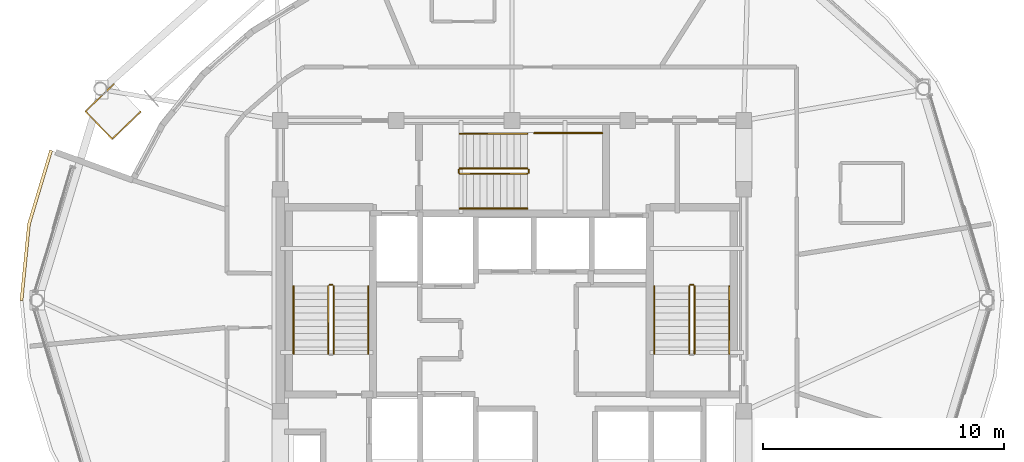
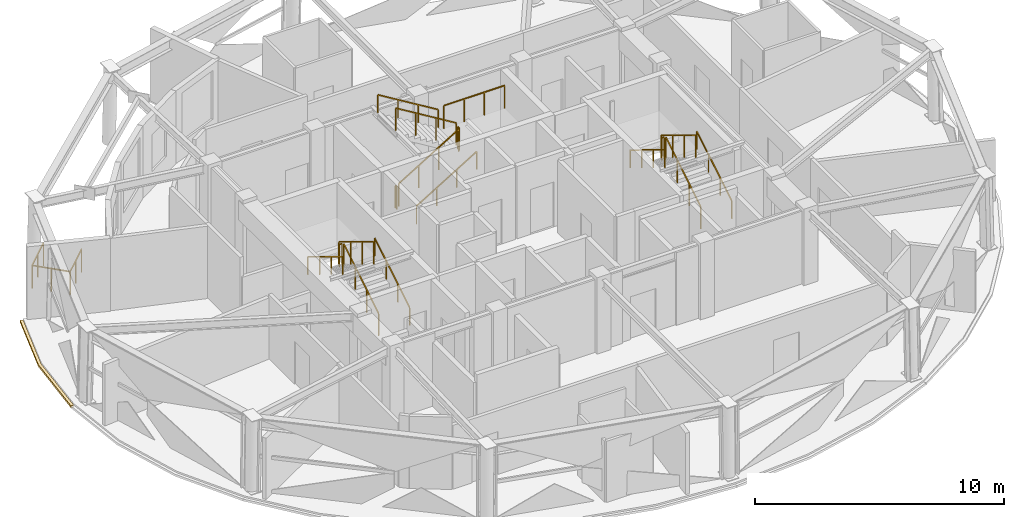
# One storey, part 13 of 14: 18 railings, 1 covering.
"""IFC4 building model written with IfcOpenShell, lengths in metres."""

import ifcopenshell
import ifcopenshell.guid

model = None  # the IFC model being written
_history = None  # IfcOwnerHistory: only IFC2X3 demands one
_inside = {}  # id of a spatial element -> (the spatial element, [elements in it])
_under = {}  # id of a project, library or spatial element -> (it, [spatial elements below it])
_declared = {}  # id of a project -> (the project, [libraries it declares])
_typed = {}  # id of a type object -> (the type object, [elements of that type])
_made_of = {}  # id of a material, layer set ... -> (it, [elements and type objects made of it])


def new_model(schema):
    """Start an empty IFC model of exactly this schema.

    Asked for "IFC4X3", IfcOpenShell would pick the latest addendum, in which some entities
    have other attributes; the version numbers below select the first issue.
    IFC2X3 requires an IfcOwnerHistory on every rooted entity: one is made here for all.
    """
    global model, _history
    if schema == "IFC4X3":
        model = ifcopenshell.file(schema_version=(4, 3, 0, 0))
    else:
        model = ifcopenshell.file(schema=schema)
    _inside.clear()
    _under.clear()
    _declared.clear()
    _typed.clear()
    _made_of.clear()
    _history = None
    if model.schema == "IFC2X3":
        org = make("IfcOrganization", Name="unknown")
        user = make(
            "IfcPersonAndOrganization",
            ThePerson=make("IfcPerson", FamilyName="unknown"),
            TheOrganization=org,
        )
        app = make(
            "IfcApplication",
            ApplicationDeveloper=org,
            Version="unknown",
            ApplicationFullName="unknown",
            ApplicationIdentifier="unknown",
        )
        _history = make(
            "IfcOwnerHistory",
            OwningUser=user,
            OwningApplication=app,
            ChangeAction="ADDED",
            CreationDate=0,
        )
    return model


def make(cls, **values):
    """One entity of the class cls with the attributes given. An attribute that is None is left unset."""
    return model.create_entity(
        cls, **{name: value for name, value in values.items() if value is not None}
    )


def rooted(cls, **values):
    """An entity with a GlobalId (a new one), such as an element, a storey or a relation."""
    return make(cls, GlobalId=ifcopenshell.guid.new(), OwnerHistory=_history, **values)


def si_unit(unit_type, name, prefix=None):
    """IfcSIUnit, for example si_unit("LENGTHUNIT", "METRE", prefix="MILLI")."""
    return make("IfcSIUnit", UnitType=unit_type, Prefix=prefix, Name=name)


def assignment(units):
    """IfcUnitAssignment: the units of a project."""
    return None if units is None else make("IfcUnitAssignment", Units=units)


def point(xyz):
    """IfcCartesianPoint."""
    return None if xyz is None else make("IfcCartesianPoint", Coordinates=xyz)


def direction(xyz):
    """IfcDirection."""
    return None if xyz is None else make("IfcDirection", DirectionRatios=xyz)


def frame(location, z_axis=None, x_axis=None):
    """IfcAxis2Placement3D, a coordinate frame: its origin and axes. An axis left out is left unset."""
    return make(
        "IfcAxis2Placement3D",
        Location=point(location),
        Axis=direction(z_axis),
        RefDirection=direction(x_axis),
    )


def frame_2d(location, x_axis=None):
    """IfcAxis2Placement2D, a coordinate frame in the plane: its origin and x axis."""
    return make(
        "IfcAxis2Placement2D", Location=point(location), RefDirection=direction(x_axis)
    )


def origin():
    """The frame at (0, 0, 0) with its axes left unset."""
    return frame((0.0, 0.0, 0.0))


def origin_2d():
    """The frame at (0, 0) in the plane with its x axis left unset."""
    return frame_2d((0.0, 0.0))


def place(relative_to, where):
    """IfcLocalPlacement: puts the frame where relative to a parent placement (None: the world)."""
    return make(
        "IfcLocalPlacement", PlacementRelTo=relative_to, RelativePlacement=where
    )


def context(
    kind, dimensions, precision=None, world=None, true_north=None, identifier=None
):
    """IfcGeometricRepresentationContext, for example the 3D "Model" context."""
    return make(
        "IfcGeometricRepresentationContext",
        ContextIdentifier=identifier,
        ContextType=kind,
        CoordinateSpaceDimension=dimensions,
        Precision=precision,
        WorldCoordinateSystem=world,
        TrueNorth=true_north,
    )


def subcontext(parent, identifier, kind, view, scale=None):
    """IfcGeometricRepresentationSubContext, for example "Body" below "Model"."""
    return make(
        "IfcGeometricRepresentationSubContext",
        ContextIdentifier=identifier,
        ContextType=kind,
        ParentContext=parent,
        TargetScale=scale,
        TargetView=view,
    )


def project(units=None, contexts=None):
    """IfcProject with its units and contexts."""
    return rooted(
        "IfcProject",
        Name="project",
        RepresentationContexts=contexts,
        UnitsInContext=assignment(units),
    )


def spatial(cls, under=None, at=None, **own):
    """A site, building, storey or space (cls), placed at a placement, below another one or the project."""
    s = rooted(cls, ObjectPlacement=at, **own)
    if under is not None:
        _under.setdefault(under.id(), (under, []))[1].append(s)
    return s


def polyline(points):
    """IfcPolyline through the points."""
    return make("IfcPolyline", Points=[point(p) for p in points])


def profile(cls, at=None, kind="AREA", **sizes):
    """A parametric profile (cls). Its sizes go by their IFC names, for example OverallWidth=200.0."""
    return make(cls, ProfileType=kind, Position=at, **sizes)


def rectangle(**sizes):
    """IfcRectangleProfileDef."""
    return profile("IfcRectangleProfileDef", **sizes)


def outline(outer, holes=None, kind="AREA"):
    """IfcArbitraryClosedProfileDef: a profile drawn as a closed curve; with holes, ...WithVoids."""
    if holes is None:
        return make("IfcArbitraryClosedProfileDef", ProfileType=kind, OuterCurve=outer)
    return make(
        "IfcArbitraryProfileDefWithVoids",
        ProfileType=kind,
        OuterCurve=outer,
        InnerCurves=holes,
    )


def extrude(swept, where, along, depth):
    """IfcExtrudedAreaSolid: the profile swept, set in the frame where, extruded along a direction by depth."""
    return make(
        "IfcExtrudedAreaSolid",
        SweptArea=swept,
        Position=where,
        ExtrudedDirection=direction(along),
        Depth=depth,
    )


def shape(context_of_items, identifier, shape_type, items):
    """IfcShapeRepresentation: the items that make up one representation, for example the "Body"."""
    return make(
        "IfcShapeRepresentation",
        ContextOfItems=context_of_items,
        RepresentationIdentifier=identifier,
        RepresentationType=shape_type,
        Items=items,
    )


def material(Name=None, Category=None):
    """IfcMaterial."""
    return make("IfcMaterial", Name=Name, Category=Category)


def layer(
    of_material, thickness, ventilated=None, Name=None, Category=None, Priority=None
):
    """IfcMaterialLayer: one layer of a wall or slab, of a material (None: an air gap)."""
    return make(
        "IfcMaterialLayer",
        Material=of_material,
        LayerThickness=thickness,
        IsVentilated=ventilated,
        Name=Name,
        Category=Category,
        Priority=Priority,
    )


def layer_set(layers, Name=None):
    """IfcMaterialLayerSet."""
    return make("IfcMaterialLayerSet", MaterialLayers=layers, LayerSetName=Name)


def made_of(thing, what):
    """Note that an element or type object is made of a material, layer set ...; save() writes the relation."""
    if what is not None:
        _made_of.setdefault(what.id(), (what, []))[1].append(thing)
    return thing


def type_object(cls, material=None, **own):
    """A type object (cls), such as IfcWallType, which elements share."""
    return made_of(rooted(cls, **own), material)


def element(
    cls,
    number,
    at=None,
    inside=None,
    cuts=None,
    type_object=None,
    material=None,
    context=None,
    identifier="Body",
    shape_type=None,
    held_by="IfcProductDefinitionShape",
    body=None,
    shapes=None,
    **own,
):
    """One element of the class cls, such as IfcWall. Its Tag is "e" and its number.

    at: its placement. inside: the storey or other place that contains it. cuts: it is an
    opening in that element (IfcRelVoidsElement). A single representation is given by context,
    identifier, shape_type and body (its items); several are given by shapes. held_by: the class
    of the entity that holds the representations. save() writes the other relations.
    """
    e = rooted(cls, Tag="e%d" % number, ObjectPlacement=at, **own)
    if body is not None:
        shapes = [shape(context, identifier, shape_type, body)]
    if shapes is not None:
        e.Representation = make(held_by, Representations=shapes)
    if inside is not None:
        _inside.setdefault(inside.id(), (inside, []))[1].append(e)
    if cuts is not None:
        rooted(
            "IfcRelVoidsElement", RelatingBuildingElement=cuts, RelatedOpeningElement=e
        )
    if type_object is not None:
        _typed.setdefault(type_object.id(), (type_object, []))[1].append(e)
    return made_of(e, material)


def aggregate(whole, parts):
    """IfcRelAggregates: a whole, such as a stair, and the parts it consists of."""
    return rooted("IfcRelAggregates", RelatingObject=whole, RelatedObjects=parts)


def save(model, path):
    """Write the relations noted so far, then the file.

    IfcRelAggregates (storeys below a building ...), IfcRelContainedInSpatialStructure (elements
    in a storey), IfcRelDefinesByType, IfcRelAssociatesMaterial and IfcRelDeclares: one each for
    every whole, place, type object, material and project.
    """
    for whole, parts in _under.values():
        aggregate(whole, parts)
    for where, things in _inside.values():
        rooted(
            "IfcRelContainedInSpatialStructure",
            RelatedElements=things,
            RelatingStructure=where,
        )
    for kind, things in _typed.values():
        rooted("IfcRelDefinesByType", RelatedObjects=things, RelatingType=kind)
    for what, things in _made_of.values():
        rooted("IfcRelAssociatesMaterial", RelatedObjects=things, RelatingMaterial=what)
    for by, libraries in _declared.values():
        rooted("IfcRelDeclares", RelatingContext=by, RelatedDefinitions=libraries)
    model.write(path)


model = new_model("IFC4")

# Units and contexts
model_context = context("Model", 3, precision=1e-05, world=origin(), true_north=direction((0.0, 1.0)))
body_context = subcontext(model_context, "Body", "Model", "MODEL_VIEW")
ifc_project = project(units=[si_unit("LENGTHUNIT", "METRE"), si_unit("AREAUNIT", "SQUARE_METRE"), si_unit("VOLUMEUNIT", "CUBIC_METRE"), si_unit("PLANEANGLEUNIT", "RADIAN"), si_unit("MASSUNIT", "GRAM", prefix="KILO")], contexts=[model_context])

# Site, building, storey
site_placement = place(None, origin())
site = spatial("IfcSite", under=ifc_project, at=site_placement, CompositionType="ELEMENT")
building_placement = place(site_placement, origin())
building = spatial("IfcBuilding", under=site, at=building_placement, Name="Vantalir Tower", CompositionType="ELEMENT")
storey_placement = place(building_placement, frame((0.0, 0.0, 271.35009765625)))
storey = spatial("IfcBuildingStorey", under=building, at=storey_placement, Name="L68", CompositionType="ELEMENT", Elevation=271.35009765625)

# Covering
ifc_material_1 = material(Name="Anodised champagne aluminium sill fascia", Category="aluminium")
ifc_layer = layer(ifc_material_1, 0.125)
ifc_layer_set = layer_set([ifc_layer], Name="Anodised champagne aluminium sill fascia")
covering_type = type_object("IfcCoveringType", Name="COV-SLAB-FASCIA-125", PredefinedType="CLADDING", material=ifc_layer_set)
covering_placement = place(storey_placement, frame((0.0, 0.0, -0.18017578125)))
element("IfcCovering", 1, at=covering_placement, inside=storey, type_object=covering_type, Name="L68 Perimeter Slab-Edge Sill Fascia 06", PredefinedType="CLADDING", context=body_context, shape_type="SweptSolid", body=[
    extrude(outline(polyline([(12.343994140625, 31.22998046875), (11.425048828125, 28.1630859375), (11.114990234375, 25.0), (11.239990234375, 25.0), (11.548095703125, 28.14111328125), (12.4619140625, 31.18701171875), (12.343994140625, 31.22998046875)])), origin(), (0.0, 0.0, 1.0), 0.10498046875),
])

# Railings
ifc_material_2 = material(Name="Laminated safety glass and champagne-silver balustrade", Category="glass")
railing_type_1 = type_object("IfcRailingType", Name="RAL-BALUSTRADE-1200", PredefinedType="BALUSTRADE", material=ifc_material_2)
railing_1_placement = place(storey_placement, frame((15.013916015625, 33.966064453125, 0.0)))
element("IfcRailing", 2, at=railing_1_placement, inside=storey, type_object=railing_type_1, Name="Sky Garden Stair SG4 Upper Gallery Guard", PredefinedType="BALUSTRADE", context=body_context, shape_type="SweptSolid", body=[
    extrude(rectangle(XDim=0.048095703125, YDim=0.048095703125, at=origin_2d()), frame((0.0, 0.0, 1.1259765625), z_axis=(-0.720956008548, -0.692980832158, 0.0), x_axis=(0.692980832158, -0.720956008548, 0.0)), (0.0, 0.0, 1.0), 1.640625),
    extrude(rectangle(XDim=0.048095703125, YDim=0.048095703125, at=origin_2d()), frame((-1.182861328125, -1.136962890625, 1.1259765625), z_axis=(0.693151677646, -0.720791753405, 0.0), x_axis=(0.720791753405, 0.693151677646, 0.0)), (0.0, 0.0, 1.0), 1.58984375),
    extrude(rectangle(XDim=0.048095703125, YDim=0.048095703125, at=origin_2d()), frame((-0.080810546875, -2.282958984375, 1.1259765625), z_axis=(0.721253440142, 0.692671260471, 0.0), x_axis=(-0.692671260471, 0.721253440142, 0.0)), (0.0, 0.0, 1.0), 1.639892578125),
    extrude(rectangle(XDim=0.0419921875, YDim=0.0419921875, at=origin_2d()), origin(), (0.0, 0.0, 1.0), 1.101806640625),
    extrude(rectangle(XDim=0.0419921875, YDim=0.0419921875, at=origin_2d()), frame((-0.59130859375, -0.568359375, 0.0)), (0.0, 0.0, 1.0), 1.101806640625),
    extrude(rectangle(XDim=0.0419921875, YDim=0.0419921875, at=origin_2d()), frame((-1.182861328125, -1.136962890625, 0.0)), (0.0, 0.0, 1.0), 1.101806640625),
    extrude(rectangle(XDim=0.0419921875, YDim=0.0419921875, at=origin_2d()), frame((-0.6318359375, -1.7099609375, 0.0)), (0.0, 0.0, 1.0), 1.101806640625),
    extrude(rectangle(XDim=0.0419921875, YDim=0.0419921875, at=origin_2d()), frame((-0.080810546875, -2.282958984375, 0.0)), (0.0, 0.0, 1.0), 1.101806640625),
    extrude(rectangle(XDim=0.0419921875, YDim=0.0419921875, at=origin_2d()), frame((0.5107421875, -1.71484375, 0.0)), (0.0, 0.0, 1.0), 1.101806640625),
    extrude(rectangle(XDim=0.0419921875, YDim=0.0419921875, at=origin_2d()), frame((1.10205078125, -1.14697265625, 0.0)), (0.0, 0.0, 1.0), 1.101806640625),
])
ifc_material_3 = material(Name="Anodised aluminium and stainless steel guard", Category="steel")
railing_type_2 = type_object("IfcRailingType", Name="RAL-GUARD-1120", PredefinedType="GUARDRAIL", material=ifc_material_3)
railing_2_placement = place(storey_placement, frame((24.110107421875, 22.7900390625, 0.17041015625)))
element("IfcRailing", 3, at=railing_2_placement, inside=storey, type_object=railing_type_2, Name="L68 ST1 stair guard 1", PredefinedType="GUARDRAIL", context=body_context, shape_type="SweptSolid", body=[
    extrude(rectangle(XDim=0.048095703125, YDim=0.048095703125, at=origin_2d()), frame((0.0, 0.0, 1.09619140625), z_axis=(0.0, 0.854169791009, 0.51999420009), x_axis=(-1.0, 0.0, 0.0)), (0.0, 0.0, 1.0), 3.278076171875),
    extrude(rectangle(XDim=0.0419921875, YDim=0.0419921875, at=origin_2d()), origin(), (0.0, 0.0, 1.0), 1.072021484375),
    extrude(rectangle(XDim=0.0419921875, YDim=0.0419921875, at=origin_2d()), frame((0.0, 0.933349609375, 0.568115234375)), (0.0, 0.0, 1.0), 1.072021484375),
    extrude(rectangle(XDim=0.0419921875, YDim=0.0419921875, at=origin_2d()), frame((0.0, 1.86669921875, 1.136474609375)), (0.0, 0.0, 1.0), 1.072021484375),
    extrude(rectangle(XDim=0.0419921875, YDim=0.0419921875, at=origin_2d()), frame((0.0, 2.800048828125, 1.70458984375)), (0.0, 0.0, 1.0), 1.072021484375),
])
railing_3_placement = place(storey_placement, frame((24.06005859375, 25.639892578125, 1.875)))
element("IfcRailing", 4, at=railing_3_placement, inside=storey, type_object=railing_type_2, Name="L68 ST1 stair guard 2", PredefinedType="GUARDRAIL", context=body_context, shape_type="SweptSolid", body=[
    extrude(rectangle(XDim=0.048095703125, YDim=0.048095703125, at=origin_2d()), frame((0.0, 0.0, 1.09619140625), z_axis=(-1.0, 0.0, 0.0), x_axis=(0.0, -1.0, 0.0)), (0.0, 0.0, 1.0), 0.1201171875),
    extrude(rectangle(XDim=0.0419921875, YDim=0.0419921875, at=origin_2d()), origin(), (0.0, 0.0, 1.0), 1.072021484375),
    extrude(rectangle(XDim=0.0419921875, YDim=0.0419921875, at=origin_2d()), frame((-0.1201171875, 0.0, 0.0)), (0.0, 0.0, 1.0), 1.072021484375),
])
railing_4_placement = place(storey_placement, frame((23.889892578125, 25.590087890625, 2.04541015625)))
element("IfcRailing", 5, at=railing_4_placement, inside=storey, type_object=railing_type_2, Name="L68 ST1 stair guard 3", PredefinedType="GUARDRAIL", context=body_context, shape_type="SweptSolid", body=[
    extrude(rectangle(XDim=0.048095703125, YDim=0.048095703125, at=origin_2d()), frame((0.0, 0.0, 1.09619140625), z_axis=(0.0, -0.854169791009, 0.51999420009), x_axis=(1.0, 0.0, 0.0)), (0.0, 0.0, 1.0), 3.278076171875),
    extrude(rectangle(XDim=0.0419921875, YDim=0.0419921875, at=origin_2d()), origin(), (0.0, 0.0, 1.0), 1.072021484375),
    extrude(rectangle(XDim=0.0419921875, YDim=0.0419921875, at=origin_2d()), frame((0.0, -0.933349609375, 0.568115234375)), (0.0, 0.0, 1.0), 1.072021484375),
    extrude(rectangle(XDim=0.0419921875, YDim=0.0419921875, at=origin_2d()), frame((0.0, -1.86669921875, 1.136474609375)), (0.0, 0.0, 1.0), 1.072021484375),
    extrude(rectangle(XDim=0.0419921875, YDim=0.0419921875, at=origin_2d()), frame((0.0, -2.800048828125, 1.70458984375)), (0.0, 0.0, 1.0), 1.072021484375),
])
railing_5_placement = place(storey_placement, frame((39.06005859375, 22.7900390625, 0.17041015625)))
element("IfcRailing", 6, at=railing_5_placement, inside=storey, type_object=railing_type_2, Name="L68 ST2 stair guard 1", PredefinedType="GUARDRAIL", context=body_context, shape_type="SweptSolid", body=[
    extrude(rectangle(XDim=0.048095703125, YDim=0.048095703125, at=origin_2d()), frame((0.0, 0.0, 1.09619140625), z_axis=(0.0, 0.854169791009, 0.51999420009), x_axis=(-1.0, 0.0, 0.0)), (0.0, 0.0, 1.0), 3.278076171875),
    extrude(rectangle(XDim=0.0419921875, YDim=0.0419921875, at=origin_2d()), origin(), (0.0, 0.0, 1.0), 1.072021484375),
    extrude(rectangle(XDim=0.0419921875, YDim=0.0419921875, at=origin_2d()), frame((0.0, 0.933349609375, 0.568115234375)), (0.0, 0.0, 1.0), 1.072021484375),
    extrude(rectangle(XDim=0.0419921875, YDim=0.0419921875, at=origin_2d()), frame((0.0, 1.86669921875, 1.136474609375)), (0.0, 0.0, 1.0), 1.072021484375),
    extrude(rectangle(XDim=0.0419921875, YDim=0.0419921875, at=origin_2d()), frame((0.0, 2.800048828125, 1.70458984375)), (0.0, 0.0, 1.0), 1.072021484375),
])
railing_6_placement = place(storey_placement, frame((39.010009765625, 25.639892578125, 1.875)))
element("IfcRailing", 7, at=railing_6_placement, inside=storey, type_object=railing_type_2, Name="L68 ST2 stair guard 2", PredefinedType="GUARDRAIL", context=body_context, shape_type="SweptSolid", body=[
    extrude(rectangle(XDim=0.048095703125, YDim=0.048095703125, at=origin_2d()), frame((0.0, 0.0, 1.09619140625), z_axis=(-1.0, 0.0, 0.0), x_axis=(0.0, -1.0, 0.0)), (0.0, 0.0, 1.0), 0.1201171875),
    extrude(rectangle(XDim=0.0419921875, YDim=0.0419921875, at=origin_2d()), origin(), (0.0, 0.0, 1.0), 1.072021484375),
    extrude(rectangle(XDim=0.0419921875, YDim=0.0419921875, at=origin_2d()), frame((-0.1201171875, 0.0, 0.0)), (0.0, 0.0, 1.0), 1.072021484375),
])
railing_7_placement = place(storey_placement, frame((38.840087890625, 25.590087890625, 2.04541015625)))
element("IfcRailing", 8, at=railing_7_placement, inside=storey, type_object=railing_type_2, Name="L68 ST2 stair guard 3", PredefinedType="GUARDRAIL", context=body_context, shape_type="SweptSolid", body=[
    extrude(rectangle(XDim=0.048095703125, YDim=0.048095703125, at=origin_2d()), frame((0.0, 0.0, 1.09619140625), z_axis=(0.0, -0.854169791009, 0.51999420009), x_axis=(1.0, 0.0, 0.0)), (0.0, 0.0, 1.0), 3.278076171875),
    extrude(rectangle(XDim=0.0419921875, YDim=0.0419921875, at=origin_2d()), origin(), (0.0, 0.0, 1.0), 1.072021484375),
    extrude(rectangle(XDim=0.0419921875, YDim=0.0419921875, at=origin_2d()), frame((0.0, -0.933349609375, 0.568115234375)), (0.0, 0.0, 1.0), 1.072021484375),
    extrude(rectangle(XDim=0.0419921875, YDim=0.0419921875, at=origin_2d()), frame((0.0, -1.86669921875, 1.136474609375)), (0.0, 0.0, 1.0), 1.072021484375),
    extrude(rectangle(XDim=0.0419921875, YDim=0.0419921875, at=origin_2d()), frame((0.0, -2.800048828125, 1.70458984375)), (0.0, 0.0, 1.0), 1.072021484375),
])
railing_8_placement = place(storey_placement, frame((29.340087890625, 30.239990234375, 0.17041015625)))
element("IfcRailing", 9, at=railing_8_placement, inside=storey, type_object=railing_type_2, Name="L68 ST3 stair guard 1", PredefinedType="GUARDRAIL", context=body_context, shape_type="SweptSolid", body=[
    extrude(rectangle(XDim=0.048095703125, YDim=0.048095703125, at=origin_2d()), frame((0.0, 0.0, 1.09619140625), z_axis=(0.854149651119, 0.0, 0.520027281489), x_axis=(0.0, 1.0, 0.0)), (0.0, 0.0, 1.0), 3.27783203125),
    extrude(rectangle(XDim=0.0419921875, YDim=0.0419921875, at=origin_2d()), origin(), (0.0, 0.0, 1.0), 1.072021484375),
    extrude(rectangle(XDim=0.0419921875, YDim=0.0419921875, at=origin_2d()), frame((0.933349609375, 0.0, 0.568115234375)), (0.0, 0.0, 1.0), 1.072021484375),
    extrude(rectangle(XDim=0.0419921875, YDim=0.0419921875, at=origin_2d()), frame((1.866455078125, 0.0, 1.136474609375)), (0.0, 0.0, 1.0), 1.072021484375),
    extrude(rectangle(XDim=0.0419921875, YDim=0.0419921875, at=origin_2d()), frame((2.7998046875, 0.0, 1.70458984375)), (0.0, 0.0, 1.0), 1.072021484375),
])
railing_9_placement = place(storey_placement, frame((32.18994140625, 30.2900390625, 1.875)))
element("IfcRailing", 10, at=railing_9_placement, inside=storey, type_object=railing_type_2, Name="L68 ST3 stair guard 2", PredefinedType="GUARDRAIL", context=body_context, shape_type="SweptSolid", body=[
    extrude(rectangle(XDim=0.048095703125, YDim=0.048095703125, at=origin_2d()), frame((0.0, 0.0, 1.09619140625), z_axis=(0.0, 1.0, 0.0), x_axis=(-1.0, 0.0, 0.0)), (0.0, 0.0, 1.0), 0.119873046875),
    extrude(rectangle(XDim=0.0419921875, YDim=0.0419921875, at=origin_2d()), origin(), (0.0, 0.0, 1.0), 1.072021484375),
    extrude(rectangle(XDim=0.0419921875, YDim=0.0419921875, at=origin_2d()), frame((0.0, 0.119873046875, 0.0)), (0.0, 0.0, 1.0), 1.072021484375),
])
railing_10_placement = place(storey_placement, frame((32.139892578125, 30.4599609375, 2.04541015625)))
element("IfcRailing", 11, at=railing_10_placement, inside=storey, type_object=railing_type_2, Name="L68 ST3 stair guard 3", PredefinedType="GUARDRAIL", context=body_context, shape_type="SweptSolid", body=[
    extrude(rectangle(XDim=0.048095703125, YDim=0.048095703125, at=origin_2d()), frame((0.0, 0.0, 1.09619140625), z_axis=(-0.854149651119, 0.0, 0.520027281489), x_axis=(0.0, -1.0, 0.0)), (0.0, 0.0, 1.0), 3.27783203125),
    extrude(rectangle(XDim=0.0419921875, YDim=0.0419921875, at=origin_2d()), origin(), (0.0, 0.0, 1.0), 1.072021484375),
    extrude(rectangle(XDim=0.0419921875, YDim=0.0419921875, at=origin_2d()), frame((-0.933349609375, 0.0, 0.568115234375)), (0.0, 0.0, 1.0), 1.072021484375),
    extrude(rectangle(XDim=0.0419921875, YDim=0.0419921875, at=origin_2d()), frame((-1.866455078125, 0.0, 1.136474609375)), (0.0, 0.0, 1.0), 1.072021484375),
    extrude(rectangle(XDim=0.0419921875, YDim=0.0419921875, at=origin_2d()), frame((-2.7998046875, 0.0, 1.70458984375)), (0.0, 0.0, 1.0), 1.072021484375),
])
railing_11_placement = place(storey_placement, frame((29.2900390625, 30.2900390625, 0.0)))
element("IfcRailing", 12, at=railing_11_placement, inside=storey, type_object=railing_type_2, Name="L68 ST3 stair guard 4", PredefinedType="GUARDRAIL", context=body_context, shape_type="SweptSolid", body=[
    extrude(rectangle(XDim=0.048095703125, YDim=0.048095703125, at=origin_2d()), frame((0.0, 0.0, 1.09619140625), z_axis=(0.0, 1.0, 0.0), x_axis=(-1.0, 0.0, 0.0)), (0.0, 0.0, 1.0), 0.119873046875),
    extrude(rectangle(XDim=0.0419921875, YDim=0.0419921875, at=origin_2d()), origin(), (0.0, 0.0, 1.0), 1.072021484375),
    extrude(rectangle(XDim=0.0419921875, YDim=0.0419921875, at=origin_2d()), frame((0.0, 0.119873046875, 0.0)), (0.0, 0.0, 1.0), 1.072021484375),
])
railing_12_placement = place(storey_placement, frame((32.419921875, 31.929931640625, 1.875)))
element("IfcRailing", 13, at=railing_12_placement, inside=storey, type_object=railing_type_2, Name="L68 Stair ST3 Half-Landing Slot Guard", PredefinedType="GUARDRAIL", context=body_context, shape_type="SweptSolid", body=[
    extrude(rectangle(XDim=0.048095703125, YDim=0.048095703125, at=origin_2d()), frame((0.0, 0.0, 1.1259765625), z_axis=(1.0, 0.0, 0.0), x_axis=(0.0, 1.0, 0.0)), (0.0, 0.0, 1.0), 2.820068359375),
    extrude(rectangle(XDim=0.0419921875, YDim=0.0419921875, at=origin_2d()), origin(), (0.0, 0.0, 1.0), 1.101806640625),
    extrude(rectangle(XDim=0.0419921875, YDim=0.0419921875, at=origin_2d()), frame((0.93994140625, 0.0, 0.0)), (0.0, 0.0, 1.0), 1.101806640625),
    extrude(rectangle(XDim=0.0419921875, YDim=0.0419921875, at=origin_2d()), frame((1.880126953125, 0.0, 0.0)), (0.0, 0.0, 1.0), 1.101806640625),
    extrude(rectangle(XDim=0.0419921875, YDim=0.0419921875, at=origin_2d()), frame((2.820068359375, 0.0, 0.0)), (0.0, 0.0, 1.0), 1.101806640625),
])
ifc_material_4 = material(Name="Brushed stainless steel tubular handrail", Category="steel")
railing_type_3 = type_object("IfcRailingType", Name="RAL-HANDRAIL-900", PredefinedType="HANDRAIL", material=ifc_material_4)
railing_13_placement = place(storey_placement, frame((25.550048828125, 22.7900390625, 0.17041015625)))
element("IfcRailing", 14, at=railing_13_placement, inside=storey, type_object=railing_type_3, Name="L68 ST1 stair handrail 1", PredefinedType="HANDRAIL", context=body_context, shape_type="SweptSolid", body=[
    extrude(rectangle(XDim=0.048095703125, YDim=0.048095703125, at=origin_2d()), frame((0.0, 0.0, 0.8759765625), z_axis=(0.0, 0.854169791009, 0.51999420009), x_axis=(-1.0, 0.0, 0.0)), (0.0, 0.0, 1.0), 3.278076171875),
    extrude(rectangle(XDim=0.0419921875, YDim=0.0419921875, at=origin_2d()), origin(), (0.0, 0.0, 1.0), 0.851806640625),
    extrude(rectangle(XDim=0.0419921875, YDim=0.0419921875, at=origin_2d()), frame((0.0, 0.933349609375, 0.568115234375)), (0.0, 0.0, 1.0), 0.851806640625),
    extrude(rectangle(XDim=0.0419921875, YDim=0.0419921875, at=origin_2d()), frame((0.0, 1.86669921875, 1.136474609375)), (0.0, 0.0, 1.0), 0.851806640625),
    extrude(rectangle(XDim=0.0419921875, YDim=0.0419921875, at=origin_2d()), frame((0.0, 2.800048828125, 1.70458984375)), (0.0, 0.0, 1.0), 0.851806640625),
])
railing_14_placement = place(storey_placement, frame((22.449951171875, 25.590087890625, 2.04541015625)))
element("IfcRailing", 15, at=railing_14_placement, inside=storey, type_object=railing_type_3, Name="L68 ST1 stair handrail 2", PredefinedType="HANDRAIL", context=body_context, shape_type="SweptSolid", body=[
    extrude(rectangle(XDim=0.048095703125, YDim=0.048095703125, at=origin_2d()), frame((0.0, 0.0, 0.8759765625), z_axis=(0.0, -0.854169791009, 0.51999420009), x_axis=(1.0, 0.0, 0.0)), (0.0, 0.0, 1.0), 3.278076171875),
    extrude(rectangle(XDim=0.0419921875, YDim=0.0419921875, at=origin_2d()), origin(), (0.0, 0.0, 1.0), 0.851806640625),
    extrude(rectangle(XDim=0.0419921875, YDim=0.0419921875, at=origin_2d()), frame((0.0, -0.933349609375, 0.568115234375)), (0.0, 0.0, 1.0), 0.851806640625),
    extrude(rectangle(XDim=0.0419921875, YDim=0.0419921875, at=origin_2d()), frame((0.0, -1.86669921875, 1.136474609375)), (0.0, 0.0, 1.0), 0.851806640625),
    extrude(rectangle(XDim=0.0419921875, YDim=0.0419921875, at=origin_2d()), frame((0.0, -2.800048828125, 1.70458984375)), (0.0, 0.0, 1.0), 0.851806640625),
])
railing_15_placement = place(storey_placement, frame((40.5, 22.7900390625, 0.17041015625)))
element("IfcRailing", 16, at=railing_15_placement, inside=storey, type_object=railing_type_3, Name="L68 ST2 stair handrail 1", PredefinedType="HANDRAIL", context=body_context, shape_type="SweptSolid", body=[
    extrude(rectangle(XDim=0.048095703125, YDim=0.048095703125, at=origin_2d()), frame((0.0, 0.0, 0.8759765625), z_axis=(0.0, 0.854169791009, 0.51999420009), x_axis=(-1.0, 0.0, 0.0)), (0.0, 0.0, 1.0), 3.278076171875),
    extrude(rectangle(XDim=0.0419921875, YDim=0.0419921875, at=origin_2d()), origin(), (0.0, 0.0, 1.0), 0.851806640625),
    extrude(rectangle(XDim=0.0419921875, YDim=0.0419921875, at=origin_2d()), frame((0.0, 0.933349609375, 0.568115234375)), (0.0, 0.0, 1.0), 0.851806640625),
    extrude(rectangle(XDim=0.0419921875, YDim=0.0419921875, at=origin_2d()), frame((0.0, 1.86669921875, 1.136474609375)), (0.0, 0.0, 1.0), 0.851806640625),
    extrude(rectangle(XDim=0.0419921875, YDim=0.0419921875, at=origin_2d()), frame((0.0, 2.800048828125, 1.70458984375)), (0.0, 0.0, 1.0), 0.851806640625),
])
railing_16_placement = place(storey_placement, frame((37.39990234375, 25.590087890625, 2.04541015625)))
element("IfcRailing", 17, at=railing_16_placement, inside=storey, type_object=railing_type_3, Name="L68 ST2 stair handrail 2", PredefinedType="HANDRAIL", context=body_context, shape_type="SweptSolid", body=[
    extrude(rectangle(XDim=0.048095703125, YDim=0.048095703125, at=origin_2d()), frame((0.0, 0.0, 0.8759765625), z_axis=(0.0, -0.854169791009, 0.51999420009), x_axis=(1.0, 0.0, 0.0)), (0.0, 0.0, 1.0), 3.278076171875),
    extrude(rectangle(XDim=0.0419921875, YDim=0.0419921875, at=origin_2d()), origin(), (0.0, 0.0, 1.0), 0.851806640625),
    extrude(rectangle(XDim=0.0419921875, YDim=0.0419921875, at=origin_2d()), frame((0.0, -0.933349609375, 0.568115234375)), (0.0, 0.0, 1.0), 0.851806640625),
    extrude(rectangle(XDim=0.0419921875, YDim=0.0419921875, at=origin_2d()), frame((0.0, -1.86669921875, 1.136474609375)), (0.0, 0.0, 1.0), 0.851806640625),
    extrude(rectangle(XDim=0.0419921875, YDim=0.0419921875, at=origin_2d()), frame((0.0, -2.800048828125, 1.70458984375)), (0.0, 0.0, 1.0), 0.851806640625),
])
railing_17_placement = place(storey_placement, frame((29.340087890625, 28.800048828125, 0.17041015625)))
element("IfcRailing", 18, at=railing_17_placement, inside=storey, type_object=railing_type_3, Name="L68 ST3 stair handrail 1", PredefinedType="HANDRAIL", context=body_context, shape_type="SweptSolid", body=[
    extrude(rectangle(XDim=0.048095703125, YDim=0.048095703125, at=origin_2d()), frame((0.0, 0.0, 0.8759765625), z_axis=(0.854149651119, 0.0, 0.520027281489), x_axis=(0.0, 1.0, 0.0)), (0.0, 0.0, 1.0), 3.27783203125),
    extrude(rectangle(XDim=0.0419921875, YDim=0.0419921875, at=origin_2d()), origin(), (0.0, 0.0, 1.0), 0.851806640625),
    extrude(rectangle(XDim=0.0419921875, YDim=0.0419921875, at=origin_2d()), frame((0.933349609375, 0.0, 0.568115234375)), (0.0, 0.0, 1.0), 0.851806640625),
    extrude(rectangle(XDim=0.0419921875, YDim=0.0419921875, at=origin_2d()), frame((1.866455078125, 0.0, 1.136474609375)), (0.0, 0.0, 1.0), 0.851806640625),
    extrude(rectangle(XDim=0.0419921875, YDim=0.0419921875, at=origin_2d()), frame((2.7998046875, 0.0, 1.70458984375)), (0.0, 0.0, 1.0), 0.851806640625),
])
railing_18_placement = place(storey_placement, frame((32.139892578125, 31.89990234375, 2.04541015625)))
element("IfcRailing", 19, at=railing_18_placement, inside=storey, type_object=railing_type_3, Name="L68 ST3 stair handrail 2", PredefinedType="HANDRAIL", context=body_context, shape_type="SweptSolid", body=[
    extrude(rectangle(XDim=0.048095703125, YDim=0.048095703125, at=origin_2d()), frame((0.0, 0.0, 0.8759765625), z_axis=(-0.854149651119, 0.0, 0.520027281489), x_axis=(0.0, -1.0, 0.0)), (0.0, 0.0, 1.0), 3.27783203125),
    extrude(rectangle(XDim=0.0419921875, YDim=0.0419921875, at=origin_2d()), origin(), (0.0, 0.0, 1.0), 0.851806640625),
    extrude(rectangle(XDim=0.0419921875, YDim=0.0419921875, at=origin_2d()), frame((-0.933349609375, 0.0, 0.568115234375)), (0.0, 0.0, 1.0), 0.851806640625),
    extrude(rectangle(XDim=0.0419921875, YDim=0.0419921875, at=origin_2d()), frame((-1.866455078125, 0.0, 1.136474609375)), (0.0, 0.0, 1.0), 0.851806640625),
    extrude(rectangle(XDim=0.0419921875, YDim=0.0419921875, at=origin_2d()), frame((-2.7998046875, 0.0, 1.70458984375)), (0.0, 0.0, 1.0), 0.851806640625),
])

save(model, "model.ifc")
